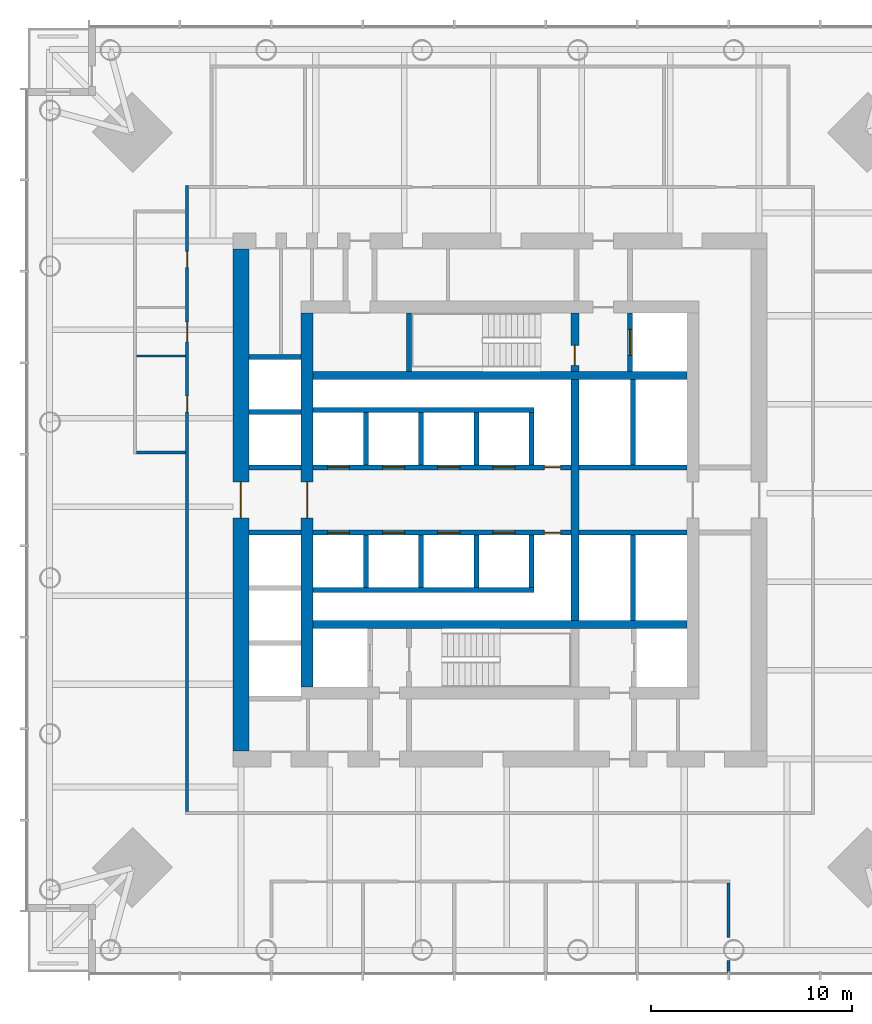
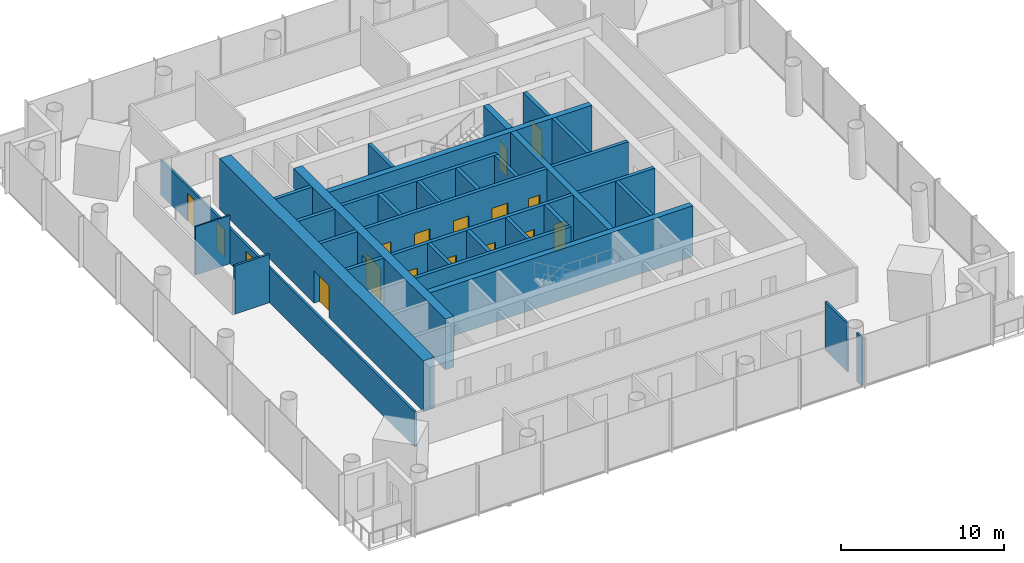
# One storey, part 9 of 18: 33 walls, 17 doors, 17 openings.
"""IFC4 building model written with IfcOpenShell, lengths in metres."""

from ifc_helpers import new_model, si_unit, direction, frame, frame_2d, origin, place, context, subcontext, project, spatial, rectangle, extrude, material, layer, layer_set, type_object, element, fill, save


model = new_model("IFC4")

# Units and contexts
model_context = context("Model", 3, precision=1e-05, world=origin(), true_north=direction((0.0, 1.0)))
body_context = subcontext(model_context, "Body", "Model", "MODEL_VIEW")
ifc_project = project(units=[si_unit("LENGTHUNIT", "METRE"), si_unit("AREAUNIT", "SQUARE_METRE"), si_unit("VOLUMEUNIT", "CUBIC_METRE"), si_unit("PLANEANGLEUNIT", "RADIAN"), si_unit("MASSUNIT", "GRAM", prefix="KILO")], contexts=[model_context])

# Site, building, storey
site_placement = place(None, origin())
site = spatial("IfcSite", under=ifc_project, at=site_placement, CompositionType="ELEMENT")
building_placement = place(site_placement, origin())
building = spatial("IfcBuilding", under=site, at=building_placement, Name="Ostroluk Exchange", CompositionType="ELEMENT")
storey_placement = place(building_placement, frame((0.0, 0.0, 70.39990234375)))
storey = spatial("IfcBuildingStorey", under=building, at=storey_placement, Name="L17", CompositionType="ELEMENT", Elevation=70.39990234375)

# Walls
ifc_material_1 = material(Name="Concrete blockwork", Category="masonry")
ifc_layer_1 = layer(ifc_material_1, 0.10009765625)
ifc_layer_set_1 = layer_set([ifc_layer_1], Name="Blockwork WC wall 100")
wall_type_1 = type_object("IfcWallType", Name="Blockwork WC wall 100", PredefinedType="SOLIDWALL", material=ifc_layer_set_1)
wall_1_placement = place(storey_placement, frame((29.35009765625, 53.175048828125, 0.0), z_axis=(0.0, 0.0, 1.0), x_axis=(-1.0, 0.0, 0.0)))
element("IfcWall", 1, at=wall_1_placement, inside=storey, type_object=wall_type_1, Name="Blockwork WC wall", PredefinedType="SOLIDWALL", context=body_context, shape_type="SweptSolid", body=[
    extrude(rectangle(XDim=2.4501953125, YDim=0.10009765625, at=frame_2d((1.22509765625, 0.0))), origin(), (0.0, 0.0, 1.0), 3.6201171875),
])
ifc_material_2 = material(Name="Concrete C50/60", Category="concrete")
ifc_layer_2 = layer(ifc_material_2, 0.39990234375)
ifc_layer_set_2 = layer_set([ifc_layer_2], Name="Core cross wall 400 C50/60")
wall_type_2 = type_object("IfcWallType", Name="Core cross wall 400 C50/60", PredefinedType="SHEAR", material=ifc_layer_set_2)
for number, where, z_axis, x_axis, name in (
    (2, (35.699951171875, 39.800048828125, 0.0), (0.0, 0.0, 1.0), (1.0, 0.0, 0.0), "T1 core wall XS"),
    (3, (35.699951171875, 52.199951171875, 0.0), (0.0, 0.0, 1.0), (1.0, 0.0, 0.0), "T1 core wall XN"),
):
    element("IfcWall", number, at=place(storey_placement, frame(where, z_axis=z_axis, x_axis=x_axis)), inside=storey, type_object=wall_type_2, Name=name, PredefinedType="SHEAR", context=body_context, shape_type="SweptSolid", body=[
        extrude(rectangle(XDim=18.60009765625, YDim=0.39990234375, at=frame_2d((9.300048828125, 0.0))), origin(), (0.0, 0.0, 1.0), 3.800048828125),
    ])
wall_2_placement = place(storey_placement, frame((48.72998046875, 40.0, 0.0), z_axis=(0.0, 0.0, 1.0), x_axis=(0.0, 1.0, 0.0)))
element("IfcWall", 4, at=wall_2_placement, inside=storey, type_object=wall_type_2, Name="T1 core wall YE2", PredefinedType="SHEAR", context=body_context, shape_type="SweptSolid", body=[
    extrude(rectangle(XDim=12.0, YDim=0.39990234375, at=frame_2d((6.0, 0.0))), origin(), (0.0, 0.0, 1.0), 3.800048828125),
])

# Wall, opening, door
wall_3_placement = place(storey_placement, frame((48.72998046875, 52.39990234375, 0.0), z_axis=(0.0, 0.0, 1.0), x_axis=(0.0, 1.0, 0.0)))
wall_3 = element("IfcWall", 5, at=wall_3_placement, inside=storey, type_object=wall_type_2, Name="T1 core wall YE3", PredefinedType="SHEAR", context=body_context, shape_type="SweptSolid", body=[
    extrude(rectangle(XDim=2.900146484375, YDim=0.39990234375, at=frame_2d((1.4501953125, 0.0))), origin(), (0.0, 0.0, 1.0), 3.800048828125),
])
opening_1_placement = place(wall_3_placement, frame((0.300048828125, 0.0, 0.0)))
opening_1 = element("IfcOpeningElement", 6, at=opening_1_placement, cuts=wall_3, Name="Opening FD60", PredefinedType="OPENING", context=body_context, shape_type="SweptSolid", body=[
    extrude(rectangle(XDim=1.0, YDim=2.10009765625, at=frame_2d((0.5, 1.050048828125))), frame((0.0, 0.2099609375, 0.0), z_axis=(0.0, -1.0, 0.0), x_axis=(1.0, 0.0, 0.0)), (0.0, 0.0, 1.0), 0.419921875),
])
ifc_material_3 = material(Name="Steel", Category="steel")
door_type_1 = type_object("IfcDoorType", Name="Fire door EI 60 1000 x 2100", OperationType="SINGLE_SWING_LEFT", PredefinedType="DOOR", material=ifc_material_3)
door_1_placement = place(opening_1_placement, origin())
door_1 = element("IfcDoor", 7, at=door_1_placement, inside=storey, type_object=door_type_1, Name="Stair T1-S2 door", OperationType="SINGLE_SWING_LEFT", OverallHeight=2.10009765625, OverallWidth=1.0, PredefinedType="DOOR", context=body_context, shape_type="SweptSolid", body=[
    extrude(rectangle(XDim=1.0, YDim=2.10009765625, at=frame_2d((0.5, 1.050048828125))), frame((0.0, 0.02490234375, 0.0), z_axis=(0.0, -1.0, 0.0), x_axis=(1.0, 0.0, 0.0)), (0.0, 0.0, 1.0), 0.050048828125),
])
fill(opening_1, door_1)

# Wall
ifc_material_4 = material(Name="Concrete C40/50", Category="concrete")
ifc_layer_3 = layer(ifc_material_4, 0.25)
ifc_layer_set_3 = layer_set([ifc_layer_3], Name="Core shaft wall 250")
wall_type_3 = type_object("IfcWallType", Name="Core shaft wall 250", PredefinedType="SHEAR", material=ifc_layer_set_3)
wall_4_placement = place(storey_placement, frame((40.47509765625, 52.39990234375, 0.0), z_axis=(0.0, 0.0, 1.0), x_axis=(0.0, 1.0, 0.0)))
element("IfcWall", 8, at=wall_4_placement, inside=storey, type_object=wall_type_3, Name="Stair shaft wall", PredefinedType="SHEAR", context=body_context, shape_type="SweptSolid", body=[
    extrude(rectangle(XDim=2.900146484375, YDim=0.25, at=frame_2d((1.4501953125, 0.0))), origin(), (0.0, 0.0, 1.0), 3.800048828125),
])

# Wall, opening, door
wall_5_placement = place(storey_placement, frame((51.47509765625, 52.39990234375, 0.0), z_axis=(0.0, 0.0, 1.0), x_axis=(0.0, 1.0, 0.0)))
wall_5 = element("IfcWall", 9, at=wall_5_placement, inside=storey, type_object=wall_type_3, Name="Firefighting lift shaft wall", PredefinedType="SHEAR", context=body_context, shape_type="SweptSolid", body=[
    extrude(rectangle(XDim=2.900146484375, YDim=0.25, at=frame_2d((1.4501953125, 0.0))), origin(), (0.0, 0.0, 1.0), 3.800048828125),
])
opening_2_placement = place(wall_5_placement, frame((0.800048828125, 0.0, 0.0)))
opening_2 = element("IfcOpeningElement", 10, at=opening_2_placement, cuts=wall_5, Name="Opening LD2", PredefinedType="OPENING", context=body_context, shape_type="SweptSolid", body=[
    extrude(rectangle(XDim=1.300048828125, YDim=2.199951171875, at=frame_2d((0.64990234375, 1.10009765625))), frame((0.0, 0.135009765625, 0.0), z_axis=(0.0, -1.0, 0.0), x_axis=(1.0, 0.0, 0.0)), (0.0, 0.0, 1.0), 0.27001953125),
])
ifc_material_5 = material(Name="Stainless steel", Category="steel")
door_type_2 = type_object("IfcDoorType", Name="Lift landing door E 60 1300 x 2200", OperationType="DOUBLE_DOOR_SLIDING", PredefinedType="DOOR", material=ifc_material_5)
door_2_placement = place(opening_2_placement, origin())
door_2 = element("IfcDoor", 11, at=door_2_placement, inside=storey, type_object=door_type_2, Name="Lift FL2 landing door", OperationType="DOUBLE_DOOR_SLIDING", OverallHeight=2.199951171875, OverallWidth=1.300048828125, PredefinedType="DOOR", context=body_context, shape_type="SweptSolid", body=[
    extrude(rectangle(XDim=1.300048828125, YDim=2.199951171875, at=frame_2d((0.64990234375, 1.10009765625))), frame((0.0, 0.02490234375, 0.0), z_axis=(0.0, -1.0, 0.0), x_axis=(1.0, 0.0, 0.0)), (0.0, 0.0, 1.0), 0.050048828125),
])
fill(opening_2, door_2)

# Walls
for number, where, z_axis, x_axis, name in (
    (12, (38.324951171875, 47.75, 0.0), (0.0, 0.0, 1.0), (0.0, 1.0, 0.0), "Lift shaft wall"),
    (13, (41.074951171875, 47.75, 0.0), (0.0, 0.0, 1.0), (0.0, 1.0, 0.0), "Lift shaft wall"),
    (14, (43.824951171875, 47.75, 0.0), (0.0, 0.0, 1.0), (0.0, 1.0, 0.0), "Lift shaft wall"),
    (15, (46.574951171875, 47.75, 0.0), (0.0, 0.0, 1.0), (0.0, 1.0, 0.0), "Lift shaft wall"),
):
    element("IfcWall", number, at=place(storey_placement, frame(where, z_axis=z_axis, x_axis=x_axis)), inside=storey, type_object=wall_type_3, Name=name, PredefinedType="SHEAR", context=body_context, shape_type="SweptSolid", body=[
        extrude(rectangle(XDim=2.60009765625, YDim=0.25, at=frame_2d((1.300048828125, 0.0))), origin(), (0.0, 0.0, 1.0), 3.800048828125),
    ])
wall_6_placement = place(storey_placement, frame((35.699951171875, 50.47509765625, 0.0), z_axis=(0.0, 0.0, 1.0), x_axis=(1.0, 0.0, 0.0)))
element("IfcWall", 16, at=wall_6_placement, inside=storey, type_object=wall_type_3, Name="Lift shaft wall", PredefinedType="SHEAR", context=body_context, shape_type="SweptSolid", body=[
    extrude(rectangle(XDim=11.0, YDim=0.25, at=frame_2d((5.5, 0.0))), origin(), (0.0, 0.0, 1.0), 3.800048828125),
])

# Wall, openings, doors
wall_7_placement = place(storey_placement, frame((35.699951171875, 47.625, 0.0), z_axis=(0.0, 0.0, 1.0), x_axis=(1.0, 0.0, 0.0)))
wall_7 = element("IfcWall", 17, at=wall_7_placement, inside=storey, type_object=wall_type_3, Name="Lift shaft front wall", PredefinedType="SHEAR", context=body_context, shape_type="SweptSolid", body=[
    extrude(rectangle(XDim=12.830078125, YDim=0.25, at=frame_2d((6.4150390625, 0.0))), origin(), (0.0, 0.0, 1.0), 3.800048828125),
])
opening_3_placement = place(wall_7_placement, frame((0.699951171875, 0.0, 0.0)))
opening_3 = element("IfcOpeningElement", 18, at=opening_3_placement, cuts=wall_7, Name="Opening LD", PredefinedType="OPENING", context=body_context, shape_type="SweptSolid", body=[
    extrude(rectangle(XDim=1.10009765625, YDim=2.199951171875, at=frame_2d((0.550048828125, 1.10009765625))), frame((0.0, 0.135009765625, 0.0), z_axis=(0.0, -1.0, 0.0), x_axis=(1.0, 0.0, 0.0)), (0.0, 0.0, 1.0), 0.27001953125),
])
opening_4_placement = place(wall_7_placement, frame((3.449951171875, 0.0, 0.0)))
opening_4 = element("IfcOpeningElement", 19, at=opening_4_placement, cuts=wall_7, Name="Opening LD", PredefinedType="OPENING", context=body_context, shape_type="SweptSolid", body=[
    extrude(rectangle(XDim=1.10009765625, YDim=2.199951171875, at=frame_2d((0.550048828125, 1.10009765625))), frame((0.0, 0.135009765625, 0.0), z_axis=(0.0, -1.0, 0.0), x_axis=(1.0, 0.0, 0.0)), (0.0, 0.0, 1.0), 0.27001953125),
])
opening_5_placement = place(wall_7_placement, frame((6.199951171875, 0.0, 0.0)))
opening_5 = element("IfcOpeningElement", 20, at=opening_5_placement, cuts=wall_7, Name="Opening LD", PredefinedType="OPENING", context=body_context, shape_type="SweptSolid", body=[
    extrude(rectangle(XDim=1.10009765625, YDim=2.199951171875, at=frame_2d((0.550048828125, 1.10009765625))), frame((0.0, 0.135009765625, 0.0), z_axis=(0.0, -1.0, 0.0), x_axis=(1.0, 0.0, 0.0)), (0.0, 0.0, 1.0), 0.27001953125),
])
opening_6_placement = place(wall_7_placement, frame((8.949951171875, 0.0, 0.0)))
opening_6 = element("IfcOpeningElement", 21, at=opening_6_placement, cuts=wall_7, Name="Opening LD", PredefinedType="OPENING", context=body_context, shape_type="SweptSolid", body=[
    extrude(rectangle(XDim=1.10009765625, YDim=2.199951171875, at=frame_2d((0.550048828125, 1.10009765625))), frame((0.0, 0.135009765625, 0.0), z_axis=(0.0, -1.0, 0.0), x_axis=(1.0, 0.0, 0.0)), (0.0, 0.0, 1.0), 0.27001953125),
])
opening_7_placement = place(wall_7_placement, frame((11.514892578125, 0.0, 0.0)))
opening_7 = element("IfcOpeningElement", 22, at=opening_7_placement, cuts=wall_7, Name="Opening RD60", PredefinedType="OPENING", context=body_context, shape_type="SweptSolid", body=[
    extrude(rectangle(XDim=0.800048828125, YDim=2.0, at=frame_2d((0.39990234375, 1.0))), frame((0.0, 0.135009765625, 0.0), z_axis=(0.0, -1.0, 0.0), x_axis=(1.0, 0.0, 0.0)), (0.0, 0.0, 1.0), 0.27001953125),
])
ifc_material_6 = material(Name="Stainless steel", Category="steel")
door_type_3 = type_object("IfcDoorType", Name="Lift landing door E 60 1100 x 2200", OperationType="DOUBLE_DOOR_SLIDING", PredefinedType="DOOR", material=ifc_material_6)
door_3_placement = place(opening_3_placement, origin())
door_3 = element("IfcDoor", 23, at=door_3_placement, inside=storey, type_object=door_type_3, Name="Lift PL-L1 landing door", OperationType="DOUBLE_DOOR_SLIDING", OverallHeight=2.199951171875, OverallWidth=1.10009765625, PredefinedType="DOOR", context=body_context, shape_type="SweptSolid", body=[
    extrude(rectangle(XDim=1.10009765625, YDim=2.199951171875, at=frame_2d((0.550048828125, 1.10009765625))), frame((0.0, 0.02490234375, 0.0), z_axis=(0.0, -1.0, 0.0), x_axis=(1.0, 0.0, 0.0)), (0.0, 0.0, 1.0), 0.050048828125),
])
fill(opening_3, door_3)
door_4_placement = place(opening_4_placement, origin())
door_4 = element("IfcDoor", 24, at=door_4_placement, inside=storey, type_object=door_type_3, Name="Lift PL-L2 landing door", OperationType="DOUBLE_DOOR_SLIDING", OverallHeight=2.199951171875, OverallWidth=1.10009765625, PredefinedType="DOOR", context=body_context, shape_type="SweptSolid", body=[
    extrude(rectangle(XDim=1.10009765625, YDim=2.199951171875, at=frame_2d((0.550048828125, 1.10009765625))), frame((0.0, 0.02490234375, 0.0), z_axis=(0.0, -1.0, 0.0), x_axis=(1.0, 0.0, 0.0)), (0.0, 0.0, 1.0), 0.050048828125),
])
fill(opening_4, door_4)
door_5_placement = place(opening_5_placement, origin())
door_5 = element("IfcDoor", 25, at=door_5_placement, inside=storey, type_object=door_type_3, Name="Lift PL-L3 landing door", OperationType="DOUBLE_DOOR_SLIDING", OverallHeight=2.199951171875, OverallWidth=1.10009765625, PredefinedType="DOOR", context=body_context, shape_type="SweptSolid", body=[
    extrude(rectangle(XDim=1.10009765625, YDim=2.199951171875, at=frame_2d((0.550048828125, 1.10009765625))), frame((0.0, 0.02490234375, 0.0), z_axis=(0.0, -1.0, 0.0), x_axis=(1.0, 0.0, 0.0)), (0.0, 0.0, 1.0), 0.050048828125),
])
fill(opening_5, door_5)
door_6_placement = place(opening_6_placement, origin())
door_6 = element("IfcDoor", 26, at=door_6_placement, inside=storey, type_object=door_type_3, Name="Lift PL-L4 landing door", OperationType="DOUBLE_DOOR_SLIDING", OverallHeight=2.199951171875, OverallWidth=1.10009765625, PredefinedType="DOOR", context=body_context, shape_type="SweptSolid", body=[
    extrude(rectangle(XDim=1.10009765625, YDim=2.199951171875, at=frame_2d((0.550048828125, 1.10009765625))), frame((0.0, 0.02490234375, 0.0), z_axis=(0.0, -1.0, 0.0), x_axis=(1.0, 0.0, 0.0)), (0.0, 0.0, 1.0), 0.050048828125),
])
fill(opening_6, door_6)
ifc_material_7 = material(Name="Steel", Category="steel")
door_type_4 = type_object("IfcDoorType", Name="Riser access door EI 60 800 x 2000", OperationType="SINGLE_SWING_LEFT", PredefinedType="DOOR", material=ifc_material_7)
door_7_placement = place(opening_7_placement, origin())
door_7 = element("IfcDoor", 27, at=door_7_placement, inside=storey, type_object=door_type_4, Name="Riser access door", OperationType="SINGLE_SWING_RIGHT", OverallHeight=2.0, OverallWidth=0.800048828125, PredefinedType="DOOR", context=body_context, shape_type="SweptSolid", body=[
    extrude(rectangle(XDim=0.800048828125, YDim=2.0, at=frame_2d((0.39990234375, 1.0))), frame((0.0, 0.02490234375, 0.0), z_axis=(0.0, -1.0, 0.0), x_axis=(1.0, 0.0, 0.0)), (0.0, 0.0, 1.0), 0.050048828125),
])
fill(opening_7, door_7)

# Walls
for number, where, z_axis, x_axis, name in (
    (28, (38.324951171875, 44.25, 0.0), (0.0, 0.0, 1.0), (0.0, -1.0, 0.0), "Lift shaft wall"),
    (29, (41.074951171875, 44.25, 0.0), (0.0, 0.0, 1.0), (0.0, -1.0, 0.0), "Lift shaft wall"),
    (30, (43.824951171875, 44.25, 0.0), (0.0, 0.0, 1.0), (0.0, -1.0, 0.0), "Lift shaft wall"),
    (31, (46.574951171875, 44.25, 0.0), (0.0, 0.0, 1.0), (0.0, -1.0, 0.0), "Lift shaft wall"),
):
    element("IfcWall", number, at=place(storey_placement, frame(where, z_axis=z_axis, x_axis=x_axis)), inside=storey, type_object=wall_type_3, Name=name, PredefinedType="SHEAR", context=body_context, shape_type="SweptSolid", body=[
        extrude(rectangle(XDim=2.60009765625, YDim=0.25, at=frame_2d((1.300048828125, 0.0))), origin(), (0.0, 0.0, 1.0), 3.800048828125),
    ])
wall_8_placement = place(storey_placement, frame((35.699951171875, 41.52490234375, 0.0), z_axis=(0.0, 0.0, 1.0), x_axis=(1.0, 0.0, 0.0)))
element("IfcWall", 32, at=wall_8_placement, inside=storey, type_object=wall_type_3, Name="Lift shaft wall", PredefinedType="SHEAR", context=body_context, shape_type="SweptSolid", body=[
    extrude(rectangle(XDim=11.0, YDim=0.25, at=frame_2d((5.5, 0.0))), origin(), (0.0, 0.0, 1.0), 3.800048828125),
])

# Wall, openings, doors
wall_9_placement = place(storey_placement, frame((35.699951171875, 44.375, 0.0), z_axis=(0.0, 0.0, 1.0), x_axis=(1.0, 0.0, 0.0)))
wall_9 = element("IfcWall", 33, at=wall_9_placement, inside=storey, type_object=wall_type_3, Name="Lift shaft front wall", PredefinedType="SHEAR", context=body_context, shape_type="SweptSolid", body=[
    extrude(rectangle(XDim=12.830078125, YDim=0.25, at=frame_2d((6.4150390625, 0.0))), origin(), (0.0, 0.0, 1.0), 3.800048828125),
])
opening_8_placement = place(wall_9_placement, frame((0.699951171875, 0.0, 0.0)))
opening_8 = element("IfcOpeningElement", 34, at=opening_8_placement, cuts=wall_9, Name="Opening LD", PredefinedType="OPENING", context=body_context, shape_type="SweptSolid", body=[
    extrude(rectangle(XDim=1.10009765625, YDim=2.199951171875, at=frame_2d((0.550048828125, 1.10009765625))), frame((0.0, 0.135009765625, 0.0), z_axis=(0.0, -1.0, 0.0), x_axis=(1.0, 0.0, 0.0)), (0.0, 0.0, 1.0), 0.27001953125),
])
opening_9_placement = place(wall_9_placement, frame((3.449951171875, 0.0, 0.0)))
opening_9 = element("IfcOpeningElement", 35, at=opening_9_placement, cuts=wall_9, Name="Opening LD", PredefinedType="OPENING", context=body_context, shape_type="SweptSolid", body=[
    extrude(rectangle(XDim=1.10009765625, YDim=2.199951171875, at=frame_2d((0.550048828125, 1.10009765625))), frame((0.0, 0.135009765625, 0.0), z_axis=(0.0, -1.0, 0.0), x_axis=(1.0, 0.0, 0.0)), (0.0, 0.0, 1.0), 0.27001953125),
])
opening_10_placement = place(wall_9_placement, frame((6.199951171875, 0.0, 0.0)))
opening_10 = element("IfcOpeningElement", 36, at=opening_10_placement, cuts=wall_9, Name="Opening LD", PredefinedType="OPENING", context=body_context, shape_type="SweptSolid", body=[
    extrude(rectangle(XDim=1.10009765625, YDim=2.199951171875, at=frame_2d((0.550048828125, 1.10009765625))), frame((0.0, 0.135009765625, 0.0), z_axis=(0.0, -1.0, 0.0), x_axis=(1.0, 0.0, 0.0)), (0.0, 0.0, 1.0), 0.27001953125),
])
opening_11_placement = place(wall_9_placement, frame((8.949951171875, 0.0, 0.0)))
opening_11 = element("IfcOpeningElement", 37, at=opening_11_placement, cuts=wall_9, Name="Opening LD", PredefinedType="OPENING", context=body_context, shape_type="SweptSolid", body=[
    extrude(rectangle(XDim=1.10009765625, YDim=2.199951171875, at=frame_2d((0.550048828125, 1.10009765625))), frame((0.0, 0.135009765625, 0.0), z_axis=(0.0, -1.0, 0.0), x_axis=(1.0, 0.0, 0.0)), (0.0, 0.0, 1.0), 0.27001953125),
])
opening_12_placement = place(wall_9_placement, frame((11.514892578125, 0.0, 0.0)))
opening_12 = element("IfcOpeningElement", 38, at=opening_12_placement, cuts=wall_9, Name="Opening RD60", PredefinedType="OPENING", context=body_context, shape_type="SweptSolid", body=[
    extrude(rectangle(XDim=0.800048828125, YDim=2.0, at=frame_2d((0.39990234375, 1.0))), frame((0.0, 0.135009765625, 0.0), z_axis=(0.0, -1.0, 0.0), x_axis=(1.0, 0.0, 0.0)), (0.0, 0.0, 1.0), 0.27001953125),
])
door_8_placement = place(opening_8_placement, origin())
door_8 = element("IfcDoor", 39, at=door_8_placement, inside=storey, type_object=door_type_3, Name="Lift PL-L5 landing door", OperationType="DOUBLE_DOOR_SLIDING", OverallHeight=2.199951171875, OverallWidth=1.10009765625, PredefinedType="DOOR", context=body_context, shape_type="SweptSolid", body=[
    extrude(rectangle(XDim=1.10009765625, YDim=2.199951171875, at=frame_2d((0.550048828125, 1.10009765625))), frame((0.0, 0.02490234375, 0.0), z_axis=(0.0, -1.0, 0.0), x_axis=(1.0, 0.0, 0.0)), (0.0, 0.0, 1.0), 0.050048828125),
])
fill(opening_8, door_8)
door_9_placement = place(opening_9_placement, origin())
door_9 = element("IfcDoor", 40, at=door_9_placement, inside=storey, type_object=door_type_3, Name="Lift PL-L6 landing door", OperationType="DOUBLE_DOOR_SLIDING", OverallHeight=2.199951171875, OverallWidth=1.10009765625, PredefinedType="DOOR", context=body_context, shape_type="SweptSolid", body=[
    extrude(rectangle(XDim=1.10009765625, YDim=2.199951171875, at=frame_2d((0.550048828125, 1.10009765625))), frame((0.0, 0.02490234375, 0.0), z_axis=(0.0, -1.0, 0.0), x_axis=(1.0, 0.0, 0.0)), (0.0, 0.0, 1.0), 0.050048828125),
])
fill(opening_9, door_9)
door_10_placement = place(opening_10_placement, origin())
door_10 = element("IfcDoor", 41, at=door_10_placement, inside=storey, type_object=door_type_3, Name="Lift PL-L7 landing door", OperationType="DOUBLE_DOOR_SLIDING", OverallHeight=2.199951171875, OverallWidth=1.10009765625, PredefinedType="DOOR", context=body_context, shape_type="SweptSolid", body=[
    extrude(rectangle(XDim=1.10009765625, YDim=2.199951171875, at=frame_2d((0.550048828125, 1.10009765625))), frame((0.0, 0.02490234375, 0.0), z_axis=(0.0, -1.0, 0.0), x_axis=(1.0, 0.0, 0.0)), (0.0, 0.0, 1.0), 0.050048828125),
])
fill(opening_10, door_10)
door_11_placement = place(opening_11_placement, origin())
door_11 = element("IfcDoor", 42, at=door_11_placement, inside=storey, type_object=door_type_3, Name="Lift PL-L8 landing door", OperationType="DOUBLE_DOOR_SLIDING", OverallHeight=2.199951171875, OverallWidth=1.10009765625, PredefinedType="DOOR", context=body_context, shape_type="SweptSolid", body=[
    extrude(rectangle(XDim=1.10009765625, YDim=2.199951171875, at=frame_2d((0.550048828125, 1.10009765625))), frame((0.0, 0.02490234375, 0.0), z_axis=(0.0, -1.0, 0.0), x_axis=(1.0, 0.0, 0.0)), (0.0, 0.0, 1.0), 0.050048828125),
])
fill(opening_11, door_11)
door_12_placement = place(opening_12_placement, origin())
door_12 = element("IfcDoor", 43, at=door_12_placement, inside=storey, type_object=door_type_4, Name="Riser access door", OperationType="SINGLE_SWING_RIGHT", OverallHeight=2.0, OverallWidth=0.800048828125, PredefinedType="DOOR", context=body_context, shape_type="SweptSolid", body=[
    extrude(rectangle(XDim=0.800048828125, YDim=2.0, at=frame_2d((0.39990234375, 1.0))), frame((0.0, 0.02490234375, 0.0), z_axis=(0.0, -1.0, 0.0), x_axis=(1.0, 0.0, 0.0)), (0.0, 0.0, 1.0), 0.050048828125),
])
fill(opening_12, door_12)

# Walls
wall_10_placement = place(storey_placement, frame((51.614990234375, 47.75, 0.0), z_axis=(0.0, 0.0, 1.0), x_axis=(0.0, 1.0, 0.0)))
element("IfcWall", 44, at=wall_10_placement, inside=storey, type_object=wall_type_3, Name="Lift shaft wall", PredefinedType="SHEAR", context=body_context, shape_type="SweptSolid", body=[
    extrude(rectangle(XDim=4.25, YDim=0.25, at=frame_2d((2.125, 0.0))), origin(), (0.0, 0.0, 1.0), 3.800048828125),
])
wall_11_placement = place(storey_placement, frame((48.929931640625, 47.625, 0.0), z_axis=(0.0, 0.0, 1.0), x_axis=(1.0, 0.0, 0.0)))
element("IfcWall", 45, at=wall_11_placement, inside=storey, type_object=wall_type_3, Name="Lift shaft front wall", PredefinedType="SHEAR", context=body_context, shape_type="SweptSolid", body=[
    extrude(rectangle(XDim=5.3701171875, YDim=0.25, at=frame_2d((2.68505859375, 0.0))), origin(), (0.0, 0.0, 1.0), 3.800048828125),
])
wall_12_placement = place(storey_placement, frame((51.614990234375, 44.25, 0.0), z_axis=(0.0, 0.0, 1.0), x_axis=(0.0, -1.0, 0.0)))
element("IfcWall", 46, at=wall_12_placement, inside=storey, type_object=wall_type_3, Name="Lift shaft wall", PredefinedType="SHEAR", context=body_context, shape_type="SweptSolid", body=[
    extrude(rectangle(XDim=4.25, YDim=0.25, at=frame_2d((2.125, 0.0))), origin(), (0.0, 0.0, 1.0), 3.800048828125),
])
wall_13_placement = place(storey_placement, frame((48.929931640625, 44.375, 0.0), z_axis=(0.0, 0.0, 1.0), x_axis=(1.0, 0.0, 0.0)))
element("IfcWall", 47, at=wall_13_placement, inside=storey, type_object=wall_type_3, Name="Lift shaft front wall", PredefinedType="SHEAR", context=body_context, shape_type="SweptSolid", body=[
    extrude(rectangle(XDim=5.3701171875, YDim=0.25, at=frame_2d((2.68505859375, 0.0))), origin(), (0.0, 0.0, 1.0), 3.800048828125),
])
for number, where, z_axis, x_axis, name in (
    (48, (32.5, 44.375, 0.0), (0.0, 0.0, 1.0), (1.0, 0.0, 0.0), "Lift shaft wall"),
    (49, (32.5, 47.625, 0.0), (0.0, 0.0, 1.0), (1.0, 0.0, 0.0), "Lift shaft wall"),
    (50, (32.5, 50.375, 0.0), (0.0, 0.0, 1.0), (1.0, 0.0, 0.0), "Lift shaft wall"),
    (51, (32.5, 53.125, 0.0), (0.0, 0.0, 1.0), (1.0, 0.0, 0.0), "Lift shaft wall"),
):
    element("IfcWall", number, at=place(storey_placement, frame(where, z_axis=z_axis, x_axis=x_axis)), inside=storey, type_object=wall_type_3, Name=name, PredefinedType="SHEAR", context=body_context, shape_type="SweptSolid", body=[
        extrude(rectangle(XDim=2.60009765625, YDim=0.25, at=frame_2d((1.300048828125, 0.0))), origin(), (0.0, 0.0, 1.0), 3.800048828125),
    ])

# Wall, opening, door
ifc_material_8 = material(Name="Concrete C50/60", Category="concrete")
ifc_layer_4 = layer(ifc_material_8, 0.60009765625)
ifc_layer_set_4 = layer_set([ifc_layer_4], Name="Core wall 600 C50/60")
wall_type_4 = type_object("IfcWallType", Name="Core wall 600 C50/60", PredefinedType="SHEAR", material=ifc_layer_set_4)
wall_14_placement = place(storey_placement, frame((35.39990234375, 36.699951171875, 0.0), z_axis=(0.0, 0.0, 1.0), x_axis=(0.0, 1.0, 0.0)))
wall_14 = element("IfcWall", 52, at=wall_14_placement, inside=storey, type_object=wall_type_4, Name="T1 core wall W", PredefinedType="SHEAR", context=body_context, shape_type="SweptSolid", body=[
    extrude(rectangle(XDim=18.60009765625, YDim=0.60009765625, at=frame_2d((9.300048828125, 0.0))), origin(), (0.0, 0.0, 1.0), 3.800048828125),
])
opening_13_placement = place(wall_14_placement, frame((8.39990234375, 0.0, 0.0)))
opening_13 = element("IfcOpeningElement", 53, at=opening_13_placement, cuts=wall_14, Name="Opening FD30D", PredefinedType="OPENING", context=body_context, shape_type="SweptSolid", body=[
    extrude(rectangle(XDim=1.800048828125, YDim=2.39990234375, at=frame_2d((0.89990234375, 1.199951171875))), frame((0.0, 0.31005859375, 0.0), z_axis=(0.0, -1.0, 0.0), x_axis=(1.0, 0.0, 0.0)), (0.0, 0.0, 1.0), 0.6201171875),
])
ifc_material_9 = material(Name="Timber", Category="wood")
door_type_5 = type_object("IfcDoorType", Name="Lobby double door EI 30 1800 x 2400", OperationType="DOUBLE_DOOR_SINGLE_SWING", PredefinedType="DOOR", material=ifc_material_9)
door_13_placement = place(opening_13_placement, origin())
door_13 = element("IfcDoor", 54, at=door_13_placement, inside=storey, type_object=door_type_5, Name="Lift lobby doors", OperationType="DOUBLE_DOOR_SINGLE_SWING", OverallHeight=2.39990234375, OverallWidth=1.800048828125, PredefinedType="DOOR", context=body_context, shape_type="SweptSolid", body=[
    extrude(rectangle(XDim=1.800048828125, YDim=2.39990234375, at=frame_2d((0.89990234375, 1.199951171875))), frame((0.0, 0.02490234375, 0.0), z_axis=(0.0, -1.0, 0.0), x_axis=(1.0, 0.0, 0.0)), (0.0, 0.0, 1.0), 0.050048828125),
])
fill(opening_13, door_13)

ifc_material_10 = material(Name="Concrete C50/60", Category="concrete")
ifc_layer_5 = layer(ifc_material_10, 0.800048828125)
ifc_layer_set_5 = layer_set([ifc_layer_5], Name="Core wall 800 C50/60")
wall_type_5 = type_object("IfcWallType", Name="Core wall 800 C50/60", PredefinedType="SHEAR", material=ifc_layer_set_5)
wall_15_placement = place(storey_placement, frame((32.10009765625, 33.5, 0.0), z_axis=(0.0, 0.0, 1.0), x_axis=(0.0, 1.0, 0.0)))
wall_15 = element("IfcWall", 55, at=wall_15_placement, inside=storey, type_object=wall_type_5, Name="T1 core wall RW", PredefinedType="SHEAR", context=body_context, shape_type="SweptSolid", body=[
    extrude(rectangle(XDim=25.0, YDim=0.800048828125, at=frame_2d((12.5, 0.0))), origin(), (0.0, 0.0, 1.0), 3.800048828125),
])
opening_14_placement = place(wall_15_placement, frame((11.60009765625, 0.0, 0.0)))
opening_14 = element("IfcOpeningElement", 56, at=opening_14_placement, cuts=wall_15, Name="Opening FD30D", PredefinedType="OPENING", context=body_context, shape_type="SweptSolid", body=[
    extrude(rectangle(XDim=1.800048828125, YDim=2.39990234375, at=frame_2d((0.89990234375, 1.199951171875))), frame((0.0, 0.409912109375, 0.0), z_axis=(0.0, -1.0, 0.0), x_axis=(1.0, 0.0, 0.0)), (0.0, 0.0, 1.0), 0.820068359375),
])
door_14_placement = place(opening_14_placement, origin())
door_14 = element("IfcDoor", 57, at=door_14_placement, inside=storey, type_object=door_type_5, Name="Lift lobby doors", OperationType="DOUBLE_DOOR_SINGLE_SWING", OverallHeight=2.39990234375, OverallWidth=1.800048828125, PredefinedType="DOOR", context=body_context, shape_type="SweptSolid", body=[
    extrude(rectangle(XDim=1.800048828125, YDim=2.39990234375, at=frame_2d((0.89990234375, 1.199951171875))), frame((0.0, 0.02490234375, 0.0), z_axis=(0.0, -1.0, 0.0), x_axis=(1.0, 0.0, 0.0)), (0.0, 0.0, 1.0), 0.050048828125),
])
fill(opening_14, door_14)

# Walls
ifc_material_11 = material(Name="Gypsum plasterboard partition", Category="gypsum")
ifc_layer_6 = layer(ifc_material_11, 0.14990234375)
ifc_layer_set_6 = layer_set([ifc_layer_6], Name="Plasterboard partition 150")
wall_type_6 = type_object("IfcWallType", Name="Plasterboard partition 150", PredefinedType="PARTITIONING", material=ifc_layer_set_6)
wall_16_placement = place(storey_placement, frame((56.388916015625, 26.925048828125, 0.0), z_axis=(0.0, 0.0, 1.0), x_axis=(0.0, -1.0, 0.0)))
element("IfcWall", 58, at=wall_16_placement, inside=storey, type_object=wall_type_6, Name="Partition", PredefinedType="PARTITIONING", context=body_context, shape_type="SweptSolid", body=[
    extrude(rectangle(XDim=2.717041015625, YDim=0.14990234375, at=frame_2d((1.3583984375, 0.0))), origin(), (0.0, 0.0, 1.0), 3.6201171875),
])
wall_17_placement = place(storey_placement, frame((56.388916015625, 23.070556640625, 0.0), z_axis=(0.0, 0.0, 1.0), x_axis=(0.0, -1.0, 0.0)))
element("IfcWall", 59, at=wall_17_placement, inside=storey, type_object=wall_type_6, Name="Partition", PredefinedType="PARTITIONING", context=body_context, shape_type="SweptSolid", body=[
    extrude(rectangle(XDim=0.610595703125, YDim=0.14990234375, at=frame_2d((0.30517578125, 0.0))), origin(), (0.0, 0.0, 1.0), 3.6201171875),
])

# Wall, openings, doors
wall_18_placement = place(storey_placement, frame((29.425048828125, 61.64990234375, 0.0), z_axis=(0.0, 0.0, 1.0), x_axis=(0.0, -1.0, 0.0)))
wall_18 = element("IfcWall", 60, at=wall_18_placement, inside=storey, type_object=wall_type_6, Name="Corridor wall", PredefinedType="PARTITIONING", context=body_context, shape_type="SweptSolid", body=[
    extrude(rectangle(XDim=31.14990234375, YDim=0.14990234375, at=frame_2d((15.574951171875, 0.0))), origin(), (0.0, 0.0, 1.0), 2.612060546875),
])
opening_15_placement = place(wall_18_placement, frame((3.27490234375, 0.0, 0.0)))
opening_15 = element("IfcOpeningElement", 61, at=opening_15_placement, cuts=wall_18, Name="Opening D-06", PredefinedType="OPENING", context=body_context, shape_type="SweptSolid", body=[
    extrude(rectangle(XDim=0.800048828125, YDim=2.10009765625, at=frame_2d((0.39990234375, 1.050048828125))), frame((0.0, 0.0849609375, 0.0), z_axis=(0.0, -1.0, 0.0), x_axis=(1.0, 0.0, 0.0)), (0.0, 0.0, 1.0), 0.169921875),
])
opening_16_placement = place(wall_18_placement, frame((6.77490234375, 0.0, 0.0)))
opening_16 = element("IfcOpeningElement", 62, at=opening_16_placement, cuts=wall_18, Name="Opening D-03", PredefinedType="OPENING", context=body_context, shape_type="SweptSolid", body=[
    extrude(rectangle(XDim=1.0, YDim=2.10009765625, at=frame_2d((0.5, 1.050048828125))), frame((0.0, 0.0849609375, 0.0), z_axis=(0.0, -1.0, 0.0), x_axis=(1.0, 0.0, 0.0)), (0.0, 0.0, 1.0), 0.169921875),
])
opening_17_placement = place(wall_18_placement, frame((10.47509765625, 0.0, 0.0)))
opening_17 = element("IfcOpeningElement", 63, at=opening_17_placement, cuts=wall_18, Name="Opening D-06", PredefinedType="OPENING", context=body_context, shape_type="SweptSolid", body=[
    extrude(rectangle(XDim=0.800048828125, YDim=2.10009765625, at=frame_2d((0.39990234375, 1.050048828125))), frame((0.0, 0.0849609375, 0.0), z_axis=(0.0, -1.0, 0.0), x_axis=(1.0, 0.0, 0.0)), (0.0, 0.0, 1.0), 0.169921875),
])
ifc_material_12 = material(Name="Timber", Category="wood")
door_type_6 = type_object("IfcDoorType", Name="Internal door 1000 x 2100", OperationType="SINGLE_SWING_LEFT", PredefinedType="DOOR", material=ifc_material_12)
door_15_placement = place(opening_16_placement, origin())
door_15 = element("IfcDoor", 64, at=door_15_placement, inside=storey, type_object=door_type_6, Name="Accessible WC door", OperationType="SINGLE_SWING_LEFT", OverallHeight=2.10009765625, OverallWidth=1.0, PredefinedType="DOOR", context=body_context, shape_type="SweptSolid", body=[
    extrude(rectangle(XDim=1.0, YDim=2.10009765625, at=frame_2d((0.5, 1.050048828125))), frame((0.0, 0.02490234375, 0.0), z_axis=(0.0, -1.0, 0.0), x_axis=(1.0, 0.0, 0.0)), (0.0, 0.0, 1.0), 0.050048828125),
])
fill(opening_16, door_15)
ifc_material_13 = material(Name="Timber", Category="wood")
door_type_7 = type_object("IfcDoorType", Name="Toilet door 800 x 2100", OperationType="SINGLE_SWING_LEFT", PredefinedType="DOOR", material=ifc_material_13)
door_16_placement = place(opening_15_placement, origin())
door_16 = element("IfcDoor", 65, at=door_16_placement, inside=storey, type_object=door_type_7, Name="WC female door", OperationType="SINGLE_SWING_LEFT", OverallHeight=2.10009765625, OverallWidth=0.800048828125, PredefinedType="DOOR", context=body_context, shape_type="SweptSolid", body=[
    extrude(rectangle(XDim=0.800048828125, YDim=2.10009765625, at=frame_2d((0.39990234375, 1.050048828125))), frame((0.0, 0.02490234375, 0.0), z_axis=(0.0, -1.0, 0.0), x_axis=(1.0, 0.0, 0.0)), (0.0, 0.0, 1.0), 0.050048828125),
])
fill(opening_15, door_16)
door_17_placement = place(opening_17_placement, origin())
door_17 = element("IfcDoor", 66, at=door_17_placement, inside=storey, type_object=door_type_7, Name="WC male door", OperationType="SINGLE_SWING_LEFT", OverallHeight=2.10009765625, OverallWidth=0.800048828125, PredefinedType="DOOR", context=body_context, shape_type="SweptSolid", body=[
    extrude(rectangle(XDim=0.800048828125, YDim=2.10009765625, at=frame_2d((0.39990234375, 1.050048828125))), frame((0.0, 0.02490234375, 0.0), z_axis=(0.0, -1.0, 0.0), x_axis=(1.0, 0.0, 0.0)), (0.0, 0.0, 1.0), 0.050048828125),
])
fill(opening_17, door_17)

# Wall
ifc_material_14 = material(Name="Gypsum plasterboard partition, moisture resistant", Category="gypsum")
ifc_layer_7 = layer(ifc_material_14, 0.14990234375)
ifc_layer_set_7 = layer_set([ifc_layer_7], Name="Plasterboard toilet partition 150")
wall_type_7 = type_object("IfcWallType", Name="Plasterboard toilet partition 150", PredefinedType="PARTITIONING", material=ifc_layer_set_7)
wall_19_placement = place(storey_placement, frame((29.35009765625, 48.375, 0.0), z_axis=(0.0, 0.0, 1.0), x_axis=(-1.0, 0.0, 0.0)))
element("IfcWall", 67, at=wall_19_placement, inside=storey, type_object=wall_type_7, Name="Toilet partition", PredefinedType="PARTITIONING", context=body_context, shape_type="SweptSolid", body=[
    extrude(rectangle(XDim=2.4501953125, YDim=0.14990234375, at=frame_2d((1.22509765625, 0.0))), origin(), (0.0, 0.0, 1.0), 3.6201171875),
])

save(model, "model.ifc")
